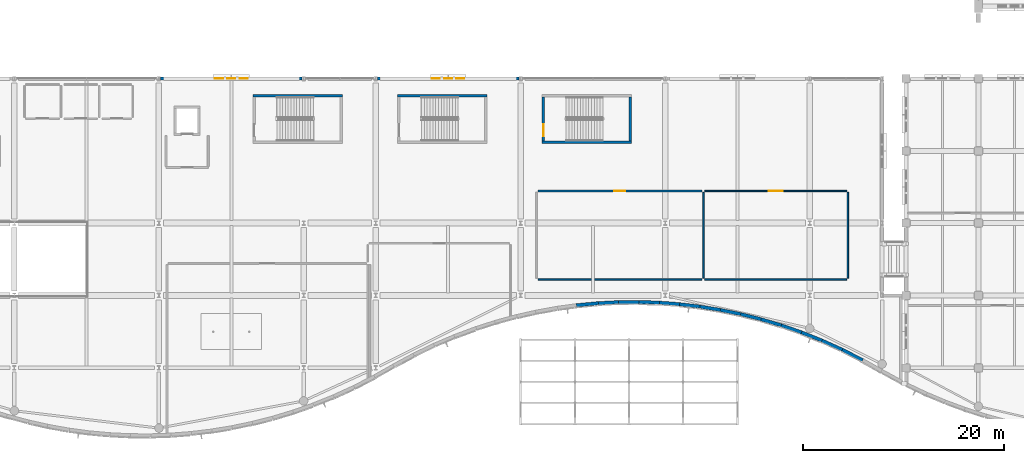
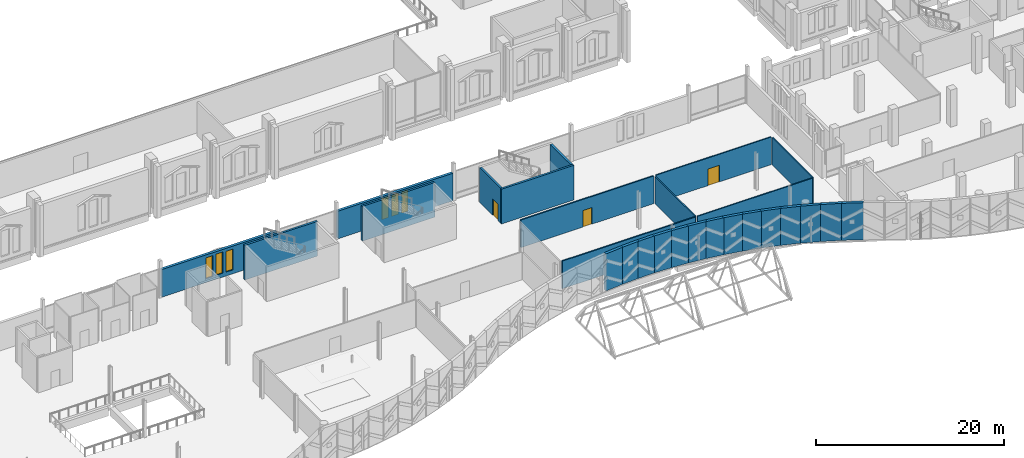
# One storey, part 153 of 220: 27 walls, 6 windows, 3 doors, 9 openings.
"""IFC4 building model written with IfcOpenShell, lengths in metres."""

from ifc_helpers import new_model, si_unit, direction, frame, frame_2d, origin, place, context, subcontext, project, spatial, rectangle, extrude, material, layer, layer_set, type_object, element, fill, save


model = new_model("IFC4")

# Units and contexts
model_context = context("Model", 3, precision=1e-05, world=origin(), true_north=direction((0.0, 1.0)))
body_context = subcontext(model_context, "Body", "Model", "MODEL_VIEW")
ifc_project = project(units=[si_unit("LENGTHUNIT", "METRE"), si_unit("AREAUNIT", "SQUARE_METRE"), si_unit("VOLUMEUNIT", "CUBIC_METRE"), si_unit("PLANEANGLEUNIT", "RADIAN"), si_unit("MASSUNIT", "GRAM", prefix="KILO")], contexts=[model_context])

# Site, building, storey
site_placement = place(None, origin())
site = spatial("IfcSite", under=ifc_project, at=site_placement, CompositionType="ELEMENT")
building_placement = place(site_placement, origin())
building = spatial("IfcBuilding", under=site, at=building_placement, Name="Cendralis Lancet Convention Centre", CompositionType="ELEMENT")
storey_placement = place(building_placement, frame((0.0, 0.0, 5.39990234375)))
storey = spatial("IfcBuildingStorey", under=building, at=storey_placement, Name="L01", CompositionType="ELEMENT", Elevation=5.39990234375)

# Wall, openings, windows
ifc_material_1 = material(Name="Buff sandstone ashlar and Concrete G40 (C40/50)", Category="masonry")
ifc_layer_1 = layer(ifc_material_1, 0.320068359375, Name="Buff sandstone ashlar and Concrete G40 (C40/50)")
ifc_layer_set_1 = layer_set([ifc_layer_1], Name="Buff sandstone ashlar and Concrete G40 (C40/50)")
wall_type_1 = type_object("IfcWallType", Name="ARC-EW-W320", PredefinedType="STANDARD", material=ifc_layer_set_1)
wall_1_placement = place(storey_placement, frame((57.758056640625, 36.0, 0.0), z_axis=(0.0, 0.0, 1.0), x_axis=(1.0, 0.0, 0.0)))
wall_1 = element("IfcWall", 1, at=wall_1_placement, inside=storey, type_object=wall_type_1, Name="L01 V4 Exterior Wall EW-06 #0196", PredefinedType="STANDARD", context=body_context, shape_type="SweptSolid", body=[
    extrude(rectangle(XDim=14.083984375, YDim=0.320068359375, at=frame_2d((7.0419921875, 0.0))), origin(), (0.0, 0.0, 1.0), 3.585205078125),
])
opening_1_placement = place(wall_1_placement, frame((5.382080078125, 0.0, 0.5)))
opening_1 = element("IfcOpeningElement", 2, at=opening_1_placement, cuts=wall_1, Name="Opening WN-15", PredefinedType="OPENING", context=body_context, shape_type="SweptSolid", body=[
    extrude(rectangle(XDim=0.840087890625, YDim=2.699951171875, at=frame_2d((0.419921875, 1.35009765625))), frame((0.0, 0.169921875, 0.0), z_axis=(0.0, -1.0, 0.0), x_axis=(1.0, 0.0, 0.0)), (0.0, 0.0, 1.0), 0.340087890625),
])
opening_2_placement = place(wall_1_placement, frame((6.64208984375, 0.0, 0.5)))
opening_2 = element("IfcOpeningElement", 3, at=opening_2_placement, cuts=wall_1, Name="Opening WN-07", PredefinedType="OPENING", context=body_context, shape_type="SweptSolid", body=[
    extrude(rectangle(XDim=0.800048828125, YDim=2.75, at=frame_2d((0.39990234375, 1.375))), frame((0.0, 0.169921875, 0.0), z_axis=(0.0, -1.0, 0.0), x_axis=(1.0, 0.0, 0.0)), (0.0, 0.0, 1.0), 0.340087890625),
])
opening_3_placement = place(wall_1_placement, frame((7.862060546875, 0.0, 0.5)))
opening_3 = element("IfcOpeningElement", 4, at=opening_3_placement, cuts=wall_1, Name="Opening WN-15", PredefinedType="OPENING", context=body_context, shape_type="SweptSolid", body=[
    extrude(rectangle(XDim=0.840087890625, YDim=2.699951171875, at=frame_2d((0.419921875, 1.35009765625))), frame((0.0, 0.169921875, 0.0), z_axis=(0.0, -1.0, 0.0), x_axis=(1.0, 0.0, 0.0)), (0.0, 0.0, 1.0), 0.340087890625),
])
ifc_material_2 = material(Name="Double-glazed low-E solar-control glass", Category="glass")
window_type_1 = type_object("IfcWindowType", Name="ARC-WN-LW07", PartitioningType="SINGLE_PANEL", PredefinedType="WINDOW", material=ifc_material_2)
window_1_placement = place(opening_2_placement, origin())
window_1 = element("IfcWindow", 5, at=window_1_placement, inside=storey, type_object=window_type_1, Name="Gothic Lancet Window WN-07 #0380", OverallHeight=2.75, OverallWidth=0.800048828125, PartitioningType="SINGLE_PANEL", PredefinedType="WINDOW", context=body_context, shape_type="SweptSolid", body=[
    extrude(rectangle(XDim=0.800048828125, YDim=2.75, at=frame_2d((0.39990234375, 1.375))), frame((0.0, 0.030029296875, 0.0), z_axis=(0.0, -1.0, 0.0), x_axis=(1.0, 0.0, 0.0)), (0.0, 0.0, 1.0), 0.06005859375),
])
fill(opening_2, window_1)
window_type_2 = type_object("IfcWindowType", Name="ARC-WN-LW15", PartitioningType="SINGLE_PANEL", PredefinedType="WINDOW", material=ifc_material_2)
window_2_placement = place(opening_1_placement, origin())
window_2 = element("IfcWindow", 6, at=window_2_placement, inside=storey, type_object=window_type_2, Name="Gothic Lancet Window WN-15 #0379", OverallHeight=2.699951171875, OverallWidth=0.840087890625, PartitioningType="SINGLE_PANEL", PredefinedType="WINDOW", context=body_context, shape_type="SweptSolid", body=[
    extrude(rectangle(XDim=0.840087890625, YDim=2.699951171875, at=frame_2d((0.419921875, 1.35009765625))), frame((0.0, 0.030029296875, 0.0), z_axis=(0.0, -1.0, 0.0), x_axis=(1.0, 0.0, 0.0)), (0.0, 0.0, 1.0), 0.06005859375),
])
fill(opening_1, window_2)
window_3_placement = place(opening_3_placement, origin())
window_3 = element("IfcWindow", 7, at=window_3_placement, inside=storey, type_object=window_type_2, Name="Gothic Lancet Window WN-15 #0381", OverallHeight=2.699951171875, OverallWidth=0.840087890625, PartitioningType="SINGLE_PANEL", PredefinedType="WINDOW", context=body_context, shape_type="SweptSolid", body=[
    extrude(rectangle(XDim=0.840087890625, YDim=2.699951171875, at=frame_2d((0.419921875, 1.35009765625))), frame((0.0, 0.030029296875, 0.0), z_axis=(0.0, -1.0, 0.0), x_axis=(1.0, 0.0, 0.0)), (0.0, 0.0, 1.0), 0.06005859375),
])
fill(opening_3, window_3)

wall_2_placement = place(storey_placement, frame((79.35791015625, 36.0, 0.0), z_axis=(0.0, 0.0, 1.0), x_axis=(1.0, 0.0, 0.0)))
wall_2 = element("IfcWall", 8, at=wall_2_placement, inside=storey, type_object=wall_type_1, Name="L01 V4 Exterior Wall EW-06 #0197", PredefinedType="STANDARD", context=body_context, shape_type="SweptSolid", body=[
    extrude(rectangle(XDim=14.083984375, YDim=0.320068359375, at=frame_2d((7.0419921875, 0.0))), origin(), (0.0, 0.0, 1.0), 3.585205078125),
])
opening_4_placement = place(wall_2_placement, frame((5.422119140625, 0.0, 0.5)))
opening_4 = element("IfcOpeningElement", 9, at=opening_4_placement, cuts=wall_2, Name="Opening WN-07", PredefinedType="OPENING", context=body_context, shape_type="SweptSolid", body=[
    extrude(rectangle(XDim=0.800048828125, YDim=2.75, at=frame_2d((0.39990234375, 1.375))), frame((0.0, 0.169921875, 0.0), z_axis=(0.0, -1.0, 0.0), x_axis=(1.0, 0.0, 0.0)), (0.0, 0.0, 1.0), 0.340087890625),
])
opening_5_placement = place(wall_2_placement, frame((6.64208984375, 0.0, 0.5)))
opening_5 = element("IfcOpeningElement", 10, at=opening_5_placement, cuts=wall_2, Name="Opening WN-07", PredefinedType="OPENING", context=body_context, shape_type="SweptSolid", body=[
    extrude(rectangle(XDim=0.800048828125, YDim=2.75, at=frame_2d((0.39990234375, 1.375))), frame((0.0, 0.169921875, 0.0), z_axis=(0.0, -1.0, 0.0), x_axis=(1.0, 0.0, 0.0)), (0.0, 0.0, 1.0), 0.340087890625),
])
opening_6_placement = place(wall_2_placement, frame((7.862060546875, 0.0, 0.5)))
opening_6 = element("IfcOpeningElement", 11, at=opening_6_placement, cuts=wall_2, Name="Opening WN-07", PredefinedType="OPENING", context=body_context, shape_type="SweptSolid", body=[
    extrude(rectangle(XDim=0.800048828125, YDim=2.75, at=frame_2d((0.39990234375, 1.375))), frame((0.0, 0.169921875, 0.0), z_axis=(0.0, -1.0, 0.0), x_axis=(1.0, 0.0, 0.0)), (0.0, 0.0, 1.0), 0.340087890625),
])
window_4_placement = place(opening_4_placement, origin())
window_4 = element("IfcWindow", 12, at=window_4_placement, inside=storey, type_object=window_type_1, Name="Gothic Lancet Window WN-07 #0382", OverallHeight=2.75, OverallWidth=0.800048828125, PartitioningType="SINGLE_PANEL", PredefinedType="WINDOW", context=body_context, shape_type="SweptSolid", body=[
    extrude(rectangle(XDim=0.800048828125, YDim=2.75, at=frame_2d((0.39990234375, 1.375))), frame((0.0, 0.030029296875, 0.0), z_axis=(0.0, -1.0, 0.0), x_axis=(1.0, 0.0, 0.0)), (0.0, 0.0, 1.0), 0.06005859375),
])
fill(opening_4, window_4)
window_5_placement = place(opening_5_placement, origin())
window_5 = element("IfcWindow", 13, at=window_5_placement, inside=storey, type_object=window_type_1, Name="Gothic Lancet Window WN-07 #0383", OverallHeight=2.75, OverallWidth=0.800048828125, PartitioningType="SINGLE_PANEL", PredefinedType="WINDOW", context=body_context, shape_type="SweptSolid", body=[
    extrude(rectangle(XDim=0.800048828125, YDim=2.75, at=frame_2d((0.39990234375, 1.375))), frame((0.0, 0.030029296875, 0.0), z_axis=(0.0, -1.0, 0.0), x_axis=(1.0, 0.0, 0.0)), (0.0, 0.0, 1.0), 0.06005859375),
])
fill(opening_5, window_5)
window_6_placement = place(opening_6_placement, origin())
window_6 = element("IfcWindow", 14, at=window_6_placement, inside=storey, type_object=window_type_1, Name="Gothic Lancet Window WN-07 #0384", OverallHeight=2.75, OverallWidth=0.800048828125, PartitioningType="SINGLE_PANEL", PredefinedType="WINDOW", context=body_context, shape_type="SweptSolid", body=[
    extrude(rectangle(XDim=0.800048828125, YDim=2.75, at=frame_2d((0.39990234375, 1.375))), frame((0.0, 0.030029296875, 0.0), z_axis=(0.0, -1.0, 0.0), x_axis=(1.0, 0.0, 0.0)), (0.0, 0.0, 1.0), 0.06005859375),
])
fill(opening_6, window_6)

# Walls
ifc_layer_2 = layer(ifc_material_1, 0.340087890625, Name="Buff sandstone ashlar and Concrete G40 (C40/50)")
ifc_layer_set_2 = layer_set([ifc_layer_2], Name="Buff sandstone ashlar and Concrete G40 (C40/50)")
wall_type_2 = type_object("IfcWallType", Name="ARC-EW-W340", PredefinedType="STANDARD", material=ifc_layer_set_2)
wall_3_placement = place(storey_placement, frame((99.1513671875, 13.41796875, 0.0), z_axis=(0.0, 0.0, 1.0), x_axis=(0.995489001927, 0.094877010081, 0.0)))
element("IfcWall", 15, at=wall_3_placement, inside=storey, type_object=wall_type_2, Name="South Boulevard Wave Wall L01 WP-050-WP-051", PredefinedType="STANDARD", context=body_context, shape_type="SweptSolid", body=[
    extrude(rectangle(XDim=2.205322265625, YDim=0.340087890625, at=frame_2d((1.1025390625, 0.0))), origin(), (0.0, 0.0, 1.0), 4.800048828125),
])
wall_4_placement = place(storey_placement, frame((101.177001953125, 13.614501953125, 0.0), z_axis=(0.0, 0.0, 1.0), x_axis=(0.998607068728, 0.052762887391, 0.0)))
element("IfcWall", 16, at=wall_4_placement, inside=storey, type_object=wall_type_2, Name="South Boulevard Wave Wall L01 WP-051-WP-052", PredefinedType="STANDARD", context=body_context, shape_type="SweptSolid", body=[
    extrude(rectangle(XDim=2.197998046875, YDim=0.340087890625, at=frame_2d((1.09912109375, 0.0))), origin(), (0.0, 0.0, 1.0), 4.800048828125),
])
wall_5_placement = place(storey_placement, frame((103.201904296875, 13.72509765625, 0.0), z_axis=(0.0, 0.0, 1.0), x_axis=(0.999946508465, 0.010343123711, 0.0)))
element("IfcWall", 17, at=wall_5_placement, inside=storey, type_object=wall_type_2, Name="South Boulevard Wave Wall L01 WP-052-WP-053", PredefinedType="STANDARD", context=body_context, shape_type="SweptSolid", body=[
    extrude(rectangle(XDim=2.195068359375, YDim=0.340087890625, at=frame_2d((1.09765625, 0.0))), origin(), (0.0, 0.0, 1.0), 4.800048828125),
])
wall_6_placement = place(storey_placement, frame((105.22705078125, 13.749755859375, 0.0), z_axis=(0.0, 0.0, 1.0), x_axis=(0.999501499211, -0.031571396483, 0.0)))
element("IfcWall", 18, at=wall_6_placement, inside=storey, type_object=wall_type_2, Name="South Boulevard Wave Wall L01 WP-053-WP-054", PredefinedType="STANDARD", context=body_context, shape_type="SweptSolid", body=[
    extrude(rectangle(XDim=2.196044921875, YDim=0.340087890625, at=frame_2d((1.09814453125, 0.0))), origin(), (0.0, 0.0, 1.0), 4.800048828125),
])
wall_7_placement = place(storey_placement, frame((107.252197265625, 13.689208984375, 0.0), z_axis=(0.0, 0.0, 1.0), x_axis=(0.997266543485, -0.073888031812, 0.0)))
element("IfcWall", 19, at=wall_7_placement, inside=storey, type_object=wall_type_2, Name="South Boulevard Wave Wall L01 WP-054-WP-055", PredefinedType="STANDARD", context=body_context, shape_type="SweptSolid", body=[
    extrude(rectangle(XDim=2.20068359375, YDim=0.340087890625, at=frame_2d((1.100341796875, 0.0))), origin(), (0.0, 0.0, 1.0), 4.800048828125),
])
wall_8_placement = place(storey_placement, frame((109.277587890625, 13.54296875, 0.0), z_axis=(0.0, 0.0, 1.0), x_axis=(0.993222810679, -0.116225850593, 0.0)))
element("IfcWall", 20, at=wall_8_placement, inside=storey, type_object=wall_type_2, Name="South Boulevard Wave Wall L01 WP-055-WP-056", PredefinedType="STANDARD", context=body_context, shape_type="SweptSolid", body=[
    extrude(rectangle(XDim=2.209716796875, YDim=0.340087890625, at=frame_2d((1.10498046875, 0.0))), origin(), (0.0, 0.0, 1.0), 4.800048828125),
])
wall_9_placement = place(storey_placement, frame((111.30419921875, 13.3095703125, 0.0), z_axis=(0.0, 0.0, 1.0), x_axis=(0.987354042935, -0.158530734875, 0.0)))
element("IfcWall", 21, at=wall_9_placement, inside=storey, type_object=wall_type_2, Name="South Boulevard Wave Wall L01 WP-056-WP-057", PredefinedType="STANDARD", context=body_context, shape_type="SweptSolid", body=[
    extrude(rectangle(XDim=2.220703125, YDim=0.340087890625, at=frame_2d((1.1103515625, 0.0))), origin(), (0.0, 0.0, 1.0), 4.800048828125),
])
wall_10_placement = place(storey_placement, frame((113.32958984375, 12.988037109375, 0.0), z_axis=(0.0, 0.0, 1.0), x_axis=(0.979633533844, -0.200793773229, 0.0)))
element("IfcWall", 22, at=wall_10_placement, inside=storey, type_object=wall_type_2, Name="South Boulevard Wave Wall L01 WP-057-WP-058", PredefinedType="STANDARD", context=body_context, shape_type="SweptSolid", body=[
    extrude(rectangle(XDim=2.2373046875, YDim=0.340087890625, at=frame_2d((1.11865234375, 0.0))), origin(), (0.0, 0.0, 1.0), 4.800048828125),
])
wall_11_placement = place(storey_placement, frame((115.35546875, 12.57666015625, 0.0), z_axis=(0.0, 0.0, 1.0), x_axis=(0.970155222992, -0.242484727976, 0.0)))
element("IfcWall", 23, at=wall_11_placement, inside=storey, type_object=wall_type_2, Name="South Boulevard Wave Wall L01 WP-058-WP-059", PredefinedType="STANDARD", context=body_context, shape_type="SweptSolid", body=[
    extrude(rectangle(XDim=2.25732421875, YDim=0.340087890625, at=frame_2d((1.128662109375, 0.0))), origin(), (0.0, 0.0, 1.0), 4.800048828125),
])
wall_12_placement = place(storey_placement, frame((117.381591796875, 12.07421875, 0.0), z_axis=(0.0, 0.0, 1.0), x_axis=(0.958465298996, -0.285209169944, 0.0)))
element("IfcWall", 24, at=wall_12_placement, inside=storey, type_object=wall_type_2, Name="South Boulevard Wave Wall L01 WP-059-WP-060", PredefinedType="STANDARD", context=body_context, shape_type="SweptSolid", body=[
    extrude(rectangle(XDim=2.283935546875, YDim=0.340087890625, at=frame_2d((1.14208984375, 0.0))), origin(), (0.0, 0.0, 1.0), 4.800048828125),
])
wall_13_placement = place(storey_placement, frame((119.40869140625, 11.474853515625, 0.0), z_axis=(0.0, 0.0, 1.0), x_axis=(0.944978543107, -0.327132317369, 0.0)))
element("IfcWall", 25, at=wall_13_placement, inside=storey, type_object=wall_type_2, Name="South Boulevard Wave Wall L01 WP-060-WP-061", PredefinedType="STANDARD", context=body_context, shape_type="SweptSolid", body=[
    extrude(rectangle(XDim=2.312744140625, YDim=0.340087890625, at=frame_2d((1.15625, 0.0))), origin(), (0.0, 0.0, 1.0), 4.800048828125),
])
wall_14_placement = place(storey_placement, frame((121.43505859375, 10.77734375, 0.0), z_axis=(0.0, 0.0, 1.0), x_axis=(0.929277325209, -0.369382799887, 0.0)))
element("IfcWall", 26, at=wall_14_placement, inside=storey, type_object=wall_type_2, Name="South Boulevard Wave Wall L01 WP-061-WP-062", PredefinedType="STANDARD", context=body_context, shape_type="SweptSolid", body=[
    extrude(rectangle(XDim=2.348876953125, YDim=0.340087890625, at=frame_2d((1.17431640625, 0.0))), origin(), (0.0, 0.0, 1.0), 4.800048828125),
])
wall_15_placement = place(storey_placement, frame((123.46142578125, 9.97607421875, 0.0), z_axis=(0.0, 0.0, 1.0), x_axis=(0.911443451381, -0.411425369823, 0.0)))
element("IfcWall", 27, at=wall_15_placement, inside=storey, type_object=wall_type_2, Name="South Boulevard Wave Wall L01 WP-062-WP-063", PredefinedType="STANDARD", context=body_context, shape_type="SweptSolid", body=[
    extrude(rectangle(XDim=2.39208984375, YDim=0.340087890625, at=frame_2d((1.196044921875, 0.0))), origin(), (0.0, 0.0, 1.0), 4.800048828125),
])
wall_16_placement = place(storey_placement, frame((125.48828125, 9.065673828125, 0.0), z_axis=(0.0, 0.0, 1.0), x_axis=(0.891025010913, -0.453954215673, 0.0)))
element("IfcWall", 28, at=wall_16_placement, inside=storey, type_object=wall_type_2, Name="South Boulevard Wave Wall L01 WP-063-WP-064", PredefinedType="STANDARD", context=body_context, shape_type="SweptSolid", body=[
    extrude(rectangle(XDim=2.44384765625, YDim=0.340087890625, at=frame_2d((1.221923828125, 0.0))), origin(), (0.0, 0.0, 1.0), 4.800048828125),
])
ifc_material_3 = material(Name="Acoustic fire-rated gypsum board on steel studs", Category="steel")
ifc_layer_3 = layer(ifc_material_3, 0.139892578125, Name="Acoustic fire-rated gypsum board on steel studs")
ifc_layer_set_3 = layer_set([ifc_layer_3], Name="Acoustic fire-rated gypsum board on steel studs")
wall_type_3 = type_object("IfcWallType", Name="ARC-IW-P140", PredefinedType="PARTITIONING", material=ifc_layer_set_3)
wall_17_placement = place(storey_placement, frame((111.800048828125, 16.139892578125, 0.0), z_axis=(0.0, 0.0, 1.0), x_axis=(0.0, 1.0, 0.0)))
element("IfcWall", 29, at=wall_17_placement, inside=storey, type_object=wall_type_3, Name="L01 Interior Partition IW-04 #0241", PredefinedType="PARTITIONING", context=body_context, shape_type="SweptSolid", body=[
    extrude(rectangle(XDim=8.52001953125, YDim=0.139892578125, at=frame_2d((4.260009765625, 0.0))), origin(), (0.0, 0.0, 1.0), 3.53515625),
])
wall_18_placement = place(storey_placement, frame((111.93994140625, 16.0, 0.0), z_axis=(0.0, 0.0, 1.0), x_axis=(1.0, 0.0, 0.0)))
element("IfcWall", 30, at=wall_18_placement, inside=storey, type_object=wall_type_3, Name="L01 Interior Partition IW-04 #0242", PredefinedType="PARTITIONING", context=body_context, shape_type="SweptSolid", body=[
    extrude(rectangle(XDim=14.1201171875, YDim=0.139892578125, at=frame_2d((7.06005859375, 0.0))), origin(), (0.0, 0.0, 1.0), 3.585205078125),
])

# Wall, opening, door
wall_19_placement = place(storey_placement, frame((111.93994140625, 24.800048828125, 0.0), z_axis=(0.0, 0.0, 1.0), x_axis=(1.0, 0.0, 0.0)))
wall_19 = element("IfcWall", 31, at=wall_19_placement, inside=storey, type_object=wall_type_3, Name="L01 Interior Partition IW-04 #0243", PredefinedType="PARTITIONING", context=body_context, shape_type="SweptSolid", body=[
    extrude(rectangle(XDim=14.1201171875, YDim=0.139892578125, at=frame_2d((7.06005859375, 0.0))), origin(), (0.0, 0.0, 1.0), 3.585205078125),
])
opening_7_placement = place(wall_19_placement, frame((6.360107421875, 0.0, 0.0)))
opening_7 = element("IfcOpeningElement", 32, at=opening_7_placement, cuts=wall_19, Name="Opening ID-14", PredefinedType="OPENING", context=body_context, shape_type="SweptSolid", body=[
    extrude(rectangle(XDim=1.39990234375, YDim=2.14990234375, at=frame_2d((0.699951171875, 1.074951171875))), frame((0.0, 0.079833984375, 0.0), z_axis=(0.0, -1.0, 0.0), x_axis=(1.0, 0.0, 0.0)), (0.0, 0.0, 1.0), 0.159912109375),
])
ifc_material_4 = material(Name="Acoustic Chilean lenga timber and steel fire leaf", Category="steel")
door_type_1 = type_object("IfcDoorType", Name="ARC-DR-DB14", OperationType="NOTDEFINED", PredefinedType="DOOR", material=ifc_material_4)
door_1_placement = place(opening_7_placement, origin())
door_1 = element("IfcDoor", 33, at=door_1_placement, inside=storey, type_object=door_type_1, Name="L01-D029 L01 Interior Door ID-14 #0080", OperationType="DOUBLE_DOOR_SINGLE_SWING", OverallHeight=2.14990234375, OverallWidth=1.39990234375, PredefinedType="DOOR", context=body_context, shape_type="SweptSolid", body=[
    extrude(rectangle(XDim=1.39990234375, YDim=2.14990234375, at=frame_2d((0.699951171875, 1.074951171875))), frame((0.0, 0.02490234375, 0.0), z_axis=(0.0, -1.0, 0.0), x_axis=(1.0, 0.0, 0.0)), (0.0, 0.0, 1.0), 0.050048828125),
])
fill(opening_7, door_1)

# Walls
wall_20_placement = place(storey_placement, frame((126.199951171875, 16.139892578125, 0.0), z_axis=(0.0, 0.0, 1.0), x_axis=(0.0, 1.0, 0.0)))
element("IfcWall", 34, at=wall_20_placement, inside=storey, type_object=wall_type_3, Name="L01 Interior Partition IW-04 #0244", PredefinedType="PARTITIONING", context=body_context, shape_type="SweptSolid", body=[
    extrude(rectangle(XDim=8.52001953125, YDim=0.139892578125, at=frame_2d((4.260009765625, 0.0))), origin(), (0.0, 0.0, 1.0), 3.53515625),
])
ifc_layer_4 = layer(ifc_material_3, 0.159912109375, Name="Acoustic fire-rated gypsum board on steel studs")
ifc_layer_set_4 = layer_set([ifc_layer_4], Name="Acoustic fire-rated gypsum board on steel studs")
wall_type_4 = type_object("IfcWallType", Name="ARC-IW-P160", PredefinedType="PARTITIONING", material=ifc_layer_set_4)
wall_21_placement = place(storey_placement, frame((95.340087890625, 16.0, 0.0), z_axis=(0.0, 0.0, 1.0), x_axis=(1.0, 0.0, 0.0)))
element("IfcWall", 35, at=wall_21_placement, inside=storey, type_object=wall_type_4, Name="L01 Interior Partition IW-03 #0238", PredefinedType="PARTITIONING", context=body_context, shape_type="SweptSolid", body=[
    extrude(rectangle(XDim=16.31982421875, YDim=0.159912109375, at=frame_2d((8.159912109375, 0.0))), origin(), (0.0, 0.0, 1.0), 3.585205078125),
])

# Wall, opening, door
wall_22_placement = place(storey_placement, frame((95.340087890625, 24.800048828125, 0.0), z_axis=(0.0, 0.0, 1.0), x_axis=(1.0, 0.0, 0.0)))
wall_22 = element("IfcWall", 36, at=wall_22_placement, inside=storey, type_object=wall_type_4, Name="L01 Interior Partition IW-03 #0239", PredefinedType="PARTITIONING", context=body_context, shape_type="SweptSolid", body=[
    extrude(rectangle(XDim=16.31982421875, YDim=0.159912109375, at=frame_2d((8.159912109375, 0.0))), origin(), (0.0, 0.0, 1.0), 3.585205078125),
])
opening_8_placement = place(wall_22_placement, frame((7.610107421875, 0.0, 0.0)))
opening_8 = element("IfcOpeningElement", 37, at=opening_8_placement, cuts=wall_22, Name="Opening FD-11", PredefinedType="OPENING", context=body_context, shape_type="SweptSolid", body=[
    extrude(rectangle(XDim=1.10009765625, YDim=2.14990234375, at=frame_2d((0.550048828125, 1.074951171875))), frame((0.0, 0.08984375, 0.0), z_axis=(0.0, -1.0, 0.0), x_axis=(1.0, 0.0, 0.0)), (0.0, 0.0, 1.0), 0.179931640625),
])
ifc_material_5 = material(Name="Steel S355", Category="steel")
door_type_2 = type_object("IfcDoorType", Name="ARC-DR-FF11", OperationType="NOTDEFINED", PredefinedType="DOOR", material=ifc_material_5)
door_2_placement = place(opening_8_placement, frame((1.10009765625, 0.0, 0.0), z_axis=(0.0, 0.0, 1.0), x_axis=(-1.0, 0.0, 0.0)))
door_2 = element("IfcDoor", 38, at=door_2_placement, inside=storey, type_object=door_type_2, Name="L01-D028 L01 Interior Door FD-11 #0079", OperationType="SINGLE_SWING_LEFT", OverallHeight=2.14990234375, OverallWidth=1.10009765625, PredefinedType="DOOR", context=body_context, shape_type="SweptSolid", body=[
    extrude(rectangle(XDim=1.10009765625, YDim=2.14990234375, at=frame_2d((0.550048828125, 1.074951171875))), frame((0.0, 0.02490234375, 0.0), z_axis=(0.0, -1.0, 0.0), x_axis=(1.0, 0.0, 0.0)), (0.0, 0.0, 1.0), 0.050048828125),
])
fill(opening_8, door_2)

# Wall
ifc_material_6 = material(Name="Concrete G40 (C40/50)", Category="concrete")
ifc_layer_5 = layer(ifc_material_6, 0.25, Name="Concrete G40 (C40/50)")
ifc_layer_set_5 = layer_set([ifc_layer_5], Name="Concrete G40 (C40/50)")
wall_type_5 = type_object("IfcWallType", Name="STR-SW-CW250", PredefinedType="SHEAR", material=ifc_layer_set_5)
wall_23_placement = place(storey_placement, frame((66.949951171875, 34.304931640625, 0.0), z_axis=(0.0, 0.0, 1.0), x_axis=(1.0, 0.0, 0.0)))
element("IfcWall", 39, at=wall_23_placement, inside=storey, type_object=wall_type_5, Name="L01 Stair Core ST-12 North Shear Wall", PredefinedType="SHEAR", context=body_context, shape_type="SweptSolid", body=[
    extrude(rectangle(XDim=8.900146484375, YDim=0.25, at=frame_2d((4.4501953125, 0.0))), origin(), (0.0, 0.0, 1.0), 4.5),
])

# Wall, opening, door
wall_24_placement = place(storey_placement, frame((95.875, 29.800048828125, 0.0), z_axis=(0.0, 0.0, 1.0), x_axis=(0.0, 1.0, 0.0)))
wall_24 = element("IfcWall", 40, at=wall_24_placement, inside=storey, type_object=wall_type_5, Name="L01 Stair Core ST-18 West Shear Wall", PredefinedType="SHEAR", context=body_context, shape_type="SweptSolid", body=[
    extrude(rectangle(XDim=4.3798828125, YDim=0.25, at=frame_2d((2.18994140625, 0.0))), origin(), (0.0, 0.0, 1.0), 4.5),
])
opening_9_placement = place(wall_24_placement, frame((0.449951171875, 0.0, 0.0)))
opening_9 = element("IfcOpeningElement", 41, at=opening_9_placement, cuts=wall_24, Name="Opening SD-12", PredefinedType="OPENING", context=body_context, shape_type="SweptSolid", body=[
    extrude(rectangle(XDim=1.199951171875, YDim=2.14990234375, at=frame_2d((0.60009765625, 1.074951171875))), frame((0.0, 0.135009765625, 0.0), z_axis=(0.0, -1.0, 0.0), x_axis=(1.0, 0.0, 0.0)), (0.0, 0.0, 1.0), 0.27001953125),
])
door_type_3 = type_object("IfcDoorType", Name="ARC-DR-ST12", OperationType="NOTDEFINED", PredefinedType="DOOR", material=ifc_material_5)
door_3_placement = place(opening_9_placement, frame((1.199951171875, 0.0, 0.0), z_axis=(0.0, 0.0, 1.0), x_axis=(-1.0, 0.0, 0.0)))
door_3 = element("IfcDoor", 42, at=door_3_placement, inside=storey, type_object=door_type_3, Name="L01-D085 L01 Exit Stair ST-18 Fire Door", OperationType="SINGLE_SWING_RIGHT", OverallHeight=2.14990234375, OverallWidth=1.199951171875, PredefinedType="DOOR", context=body_context, shape_type="SweptSolid", body=[
    extrude(rectangle(XDim=1.199951171875, YDim=2.14990234375, at=frame_2d((0.60009765625, 1.074951171875))), frame((0.0, 0.02490234375, 0.0), z_axis=(0.0, -1.0, 0.0), x_axis=(1.0, 0.0, 0.0)), (0.0, 0.0, 1.0), 0.050048828125),
])
fill(opening_9, door_3)

# Walls
wall_25_placement = place(storey_placement, frame((104.52490234375, 29.800048828125, 0.0), z_axis=(0.0, 0.0, 1.0), x_axis=(0.0, 1.0, 0.0)))
element("IfcWall", 43, at=wall_25_placement, inside=storey, type_object=wall_type_5, Name="L01 Stair Core ST-18 East Shear Wall", PredefinedType="SHEAR", context=body_context, shape_type="SweptSolid", body=[
    extrude(rectangle(XDim=4.3798828125, YDim=0.25, at=frame_2d((2.18994140625, 0.0))), origin(), (0.0, 0.0, 1.0), 4.5),
])
for number, where, z_axis, x_axis, name in (
    (44, (95.75, 29.675048828125, 0.0), (0.0, 0.0, 1.0), (1.0, 0.0, 0.0), "L01 Stair Core ST-18 South Shear Wall"),
    (45, (81.35009765625, 34.304931640625, 0.0), (0.0, 0.0, 1.0), (1.0, 0.0, 0.0), "L01 Stair Core ST-21 North Shear Wall"),
):
    element("IfcWall", number, at=place(storey_placement, frame(where, z_axis=z_axis, x_axis=x_axis)), inside=storey, type_object=wall_type_5, Name=name, PredefinedType="SHEAR", context=body_context, shape_type="SweptSolid", body=[
        extrude(rectangle(XDim=8.89990234375, YDim=0.25, at=frame_2d((4.449951171875, 0.0))), origin(), (0.0, 0.0, 1.0), 4.5),
    ])

save(model, "model.ifc")
